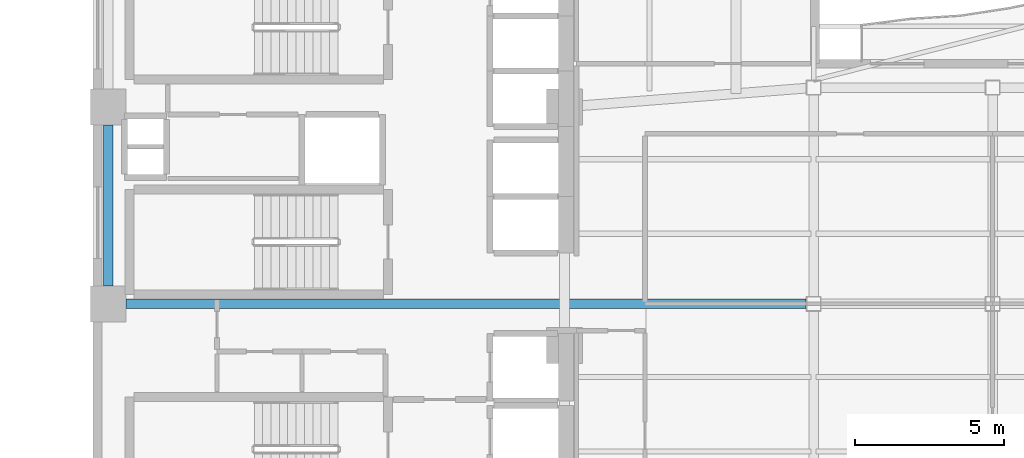
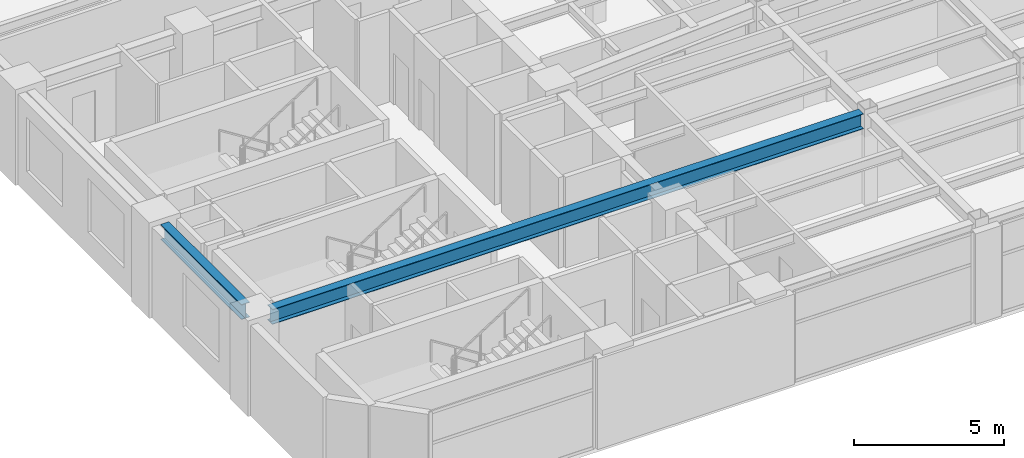
# One storey, part 3 of 15: 2 beams.
"""IFC4 building model written with IfcOpenShell, lengths in metres."""

from ifc_helpers import new_model, si_unit, direction, frame, origin, origin_2d, place, context, subcontext, project, spatial, i_section, extrude, material, material_profile, profile_set, type_object, element, save


model = new_model("IFC4")

# Units and contexts
model_context = context("Model", 3, precision=1e-05, world=origin(), true_north=direction((0.0, 1.0)))
body_context = subcontext(model_context, "Body", "Model", "MODEL_VIEW")
ifc_project = project(units=[si_unit("LENGTHUNIT", "METRE"), si_unit("AREAUNIT", "SQUARE_METRE"), si_unit("VOLUMEUNIT", "CUBIC_METRE"), si_unit("PLANEANGLEUNIT", "RADIAN"), si_unit("MASSUNIT", "GRAM", prefix="KILO")], contexts=[model_context])

# Site, building, storey
site_placement = place(None, origin())
site = spatial("IfcSite", under=ifc_project, at=site_placement, CompositionType="ELEMENT")
building_placement = place(site_placement, origin())
building = spatial("IfcBuilding", under=site, at=building_placement, Name="Mawjaban Terraces University", CompositionType="ELEMENT")
storey_placement = place(building_placement, frame((0.0, 0.0, 142.39990234375)))
storey = spatial("IfcBuildingStorey", under=building, at=storey_placement, Name="L34", CompositionType="ELEMENT", Elevation=142.39990234375)

# Beams
ifc_material = material(Name="Steel ASTM A572 Grade 50", Category="steel")
ifc_material_profile = material_profile(ifc_material, i_section(OverallWidth=0.324951171875, OverallDepth=0.615966796875, WebThickness=0.013916015625, FlangeThickness=0.021484375, at=origin_2d()), Name="W610X174")
ifc_profile_set = profile_set([ifc_material_profile], Name="Steel ASTM A572 Grade 50")
beam_type = type_object("IfcBeamType", Name="Beam_B_W610X174", PredefinedType="BEAM", material=ifc_profile_set)
beam_1_placement = place(storey_placement, frame((22.949951171875, 7.949951171875, 3.382080078125), z_axis=(1.0, 0.0, 0.0), x_axis=(0.0, 1.0, 0.0)))
element("IfcBeam", 1, at=beam_1_placement, inside=storey, type_object=beam_type, Name="L34 Beam BM-L34-EW-05", PredefinedType="BEAM", context=body_context, shape_type="SweptSolid", body=[
    extrude(i_section(OverallWidth=0.324951171875, OverallDepth=0.615966796875, WebThickness=0.013916015625, FlangeThickness=0.021484375, at=origin_2d()), origin(), (0.0, 0.0, 1.0), 22.800048828125),
])
beam_2_placement = place(storey_placement, frame((22.35009765625, 8.550048828125, 3.382080078125), z_axis=(0.0, 1.0, 0.0), x_axis=(-1.0, 0.0, 0.0)))
element("IfcBeam", 2, at=beam_2_placement, inside=storey, type_object=beam_type, Name="L34 Beam BM-L34-NS-01", PredefinedType="BEAM", context=body_context, shape_type="SweptSolid", body=[
    extrude(i_section(OverallWidth=0.324951171875, OverallDepth=0.615966796875, WebThickness=0.013916015625, FlangeThickness=0.021484375, at=origin_2d()), origin(), (0.0, 0.0, 1.0), 5.39990234375),
])

save(model, "model.ifc")
